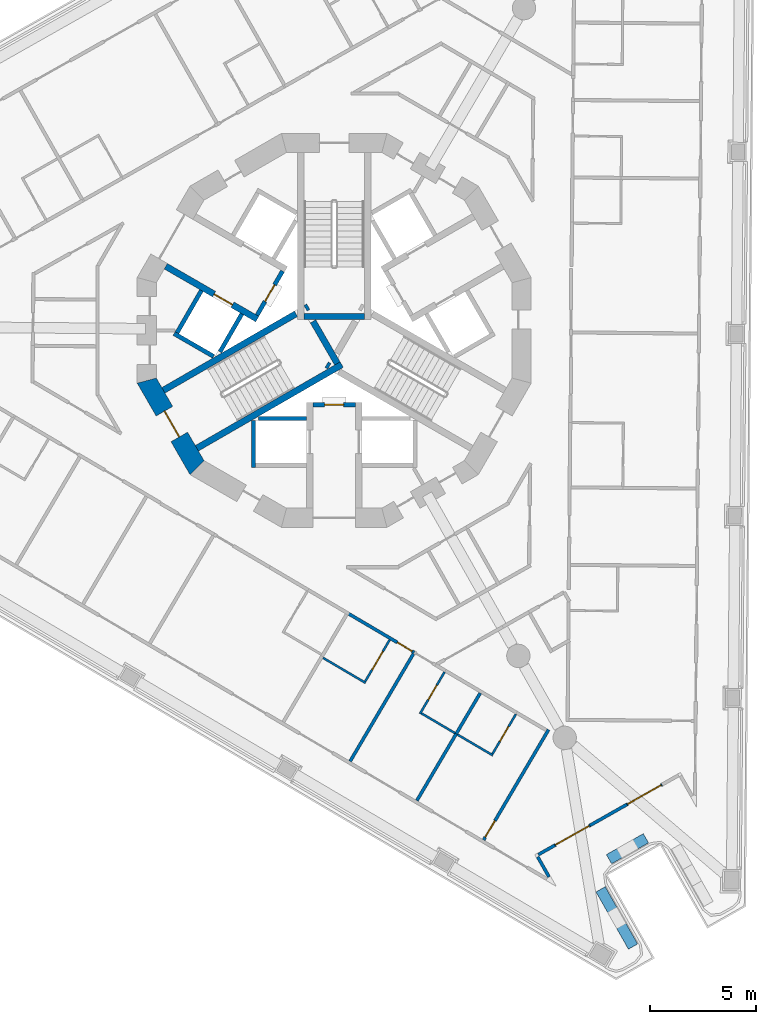
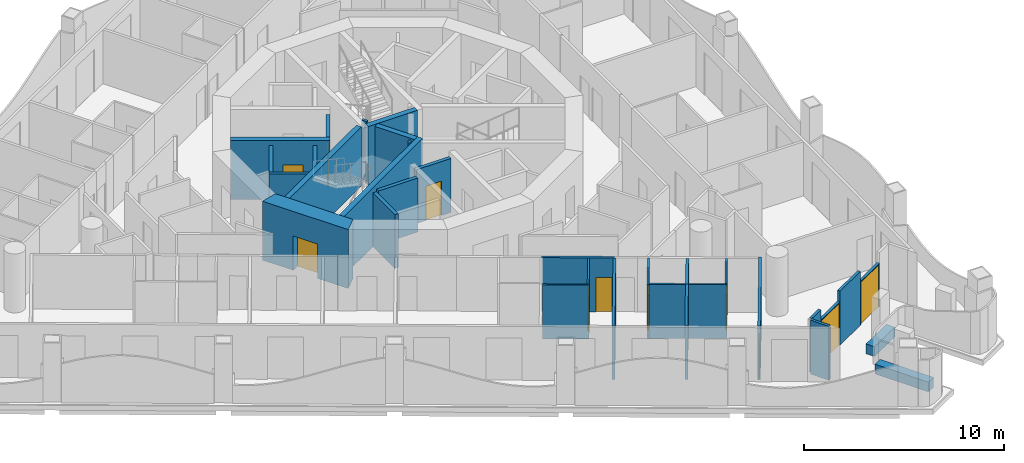
# One storey, part 4 of 18: 33 walls, 11 doors, 11 openings.
"""IFC4 building model written with IfcOpenShell, lengths in metres."""

from ifc_helpers import new_model, si_unit, direction, frame, frame_2d, origin, place, context, subcontext, project, spatial, polyline, rectangle, outline, extrude, material, layer, layer_set, type_object, element, fill, save


model = new_model("IFC4")

# Units and contexts
model_context = context("Model", 3, precision=1e-05, world=origin(), true_north=direction((0.0, 1.0)))
body_context = subcontext(model_context, "Body", "Model", "MODEL_VIEW")
ifc_project = project(units=[si_unit("LENGTHUNIT", "METRE"), si_unit("AREAUNIT", "SQUARE_METRE"), si_unit("VOLUMEUNIT", "CUBIC_METRE"), si_unit("PLANEANGLEUNIT", "RADIAN"), si_unit("MASSUNIT", "GRAM", prefix="KILO")], contexts=[model_context])

# Site, building, storey
site_placement = place(None, origin())
site = spatial("IfcSite", under=ifc_project, at=site_placement, CompositionType="ELEMENT")
building_placement = place(site_placement, origin())
building = spatial("IfcBuilding", under=site, at=building_placement, Name="Trine Commons Tower", CompositionType="ELEMENT")
storey_placement = place(building_placement, frame((0.0, 0.0, 171.89990234375)))
storey = spatial("IfcBuildingStorey", under=building, at=storey_placement, Name="L44", CompositionType="ELEMENT", Elevation=171.89990234375)

# Wall, opening, door
ifc_material_1 = material(Name="Aluminium-framed insulated wall panel", Category="aluminium")
ifc_layer_1 = layer(ifc_material_1, 0.14990234375)
ifc_layer_set_1 = layer_set([ifc_layer_1], Name="Aluminium-framed insulated wall panel")
wall_type_1 = type_object("IfcWallType", Name="Glazed frame wall 150, EI 60", PredefinedType="SOLIDWALL", material=ifc_layer_set_1)
wall_1_placement = place(storey_placement, frame((95.430419921875, 41.115966796875, 0.0), z_axis=(0.0, 0.0, 1.0), x_axis=(-0.870354540841, -0.492425601728, 0.0)))
wall_1 = element("IfcWall", 1, at=wall_1_placement, inside=storey, type_object=wall_type_1, Name="Glazed frame wall P3.2", PredefinedType="SOLIDWALL", context=body_context, shape_type="SweptSolid", body=[
    extrude(outline(polyline([(0.0, -0.074951171875), (1.89990234375, -0.074951171875), (1.89990234375, 0.074951171875), (0.0, 0.074951171875), (0.0, -0.074951171875)])), origin(), (0.0, 0.0, 1.0), 2.650146484375),
])
opening_1_placement = place(wall_1_placement, frame((0.050048828125, 0.0, 0.0)))
opening_1 = element("IfcOpeningElement", 2, at=opening_1_placement, cuts=wall_1, Name="Opening BD-5P3-01", PredefinedType="OPENING", context=body_context, shape_type="SweptSolid", body=[
    extrude(rectangle(XDim=1.800048828125, YDim=2.60009765625, at=frame_2d((0.89990234375, 1.300048828125))), frame((0.0, 0.0849609375, 0.0), z_axis=(0.0, -1.0, 0.0), x_axis=(1.0, 0.0, 0.0)), (0.0, 0.0, 1.0), 0.169921875),
])
ifc_material_2 = material(Name="Anodised aluminium frame with double glazing", Category="aluminium")
door_type_1 = type_object("IfcDoorType", Name="Sliding loggia door 1800x2600", OperationType="SLIDING_TO_LEFT", PredefinedType="DOOR", material=ifc_material_2)
door_1_placement = place(opening_1_placement, origin())
door_1 = element("IfcDoor", 3, at=door_1_placement, inside=storey, type_object=door_type_1, Name="Loggia door P3 1", OperationType="SLIDING_TO_LEFT", OverallHeight=2.60009765625, OverallWidth=1.800048828125, PredefinedType="DOOR", context=body_context, shape_type="SweptSolid", body=[
    extrude(rectangle(XDim=1.800048828125, YDim=2.60009765625, at=frame_2d((0.89990234375, 1.300048828125))), frame((0.0, 0.02490234375, 0.0), z_axis=(0.0, -1.0, 0.0), x_axis=(1.0, 0.0, 0.0)), (0.0, 0.0, 1.0), 0.050048828125),
])
fill(opening_1, door_1)

# Wall
wall_2_placement = place(storey_placement, frame((93.77685546875, 40.180419921875, 0.0), z_axis=(0.0, 0.0, 1.0), x_axis=(-0.870353598469, -0.492427267353, 0.0)))
element("IfcWall", 4, at=wall_2_placement, inside=storey, type_object=wall_type_1, Name="Glazed frame wall P3.3", PredefinedType="SOLIDWALL", context=body_context, shape_type="SweptSolid", body=[
    extrude(outline(polyline([(0.0, -0.074951171875), (2.0, -0.074951171875), (2.0, 0.074951171875), (0.0, 0.074951171875), (0.0, -0.074951171875)])), origin(), (0.0, 0.0, 1.0), 3.300048828125),
])

# Wall, opening, door
wall_3_placement = place(storey_placement, frame((92.0361328125, 39.195556640625, 0.0), z_axis=(0.0, 0.0, 1.0), x_axis=(-0.870385695537, -0.492370532226, 0.0)))
wall_3 = element("IfcWall", 5, at=wall_3_placement, inside=storey, type_object=wall_type_1, Name="Glazed frame wall P3.4", PredefinedType="SOLIDWALL", context=body_context, shape_type="SweptSolid", body=[
    extrude(outline(polyline([(0.0, -0.074951171875), (1.89990234375, -0.074951171875), (1.89990234375, 0.074951171875), (0.0, 0.074951171875), (0.0, -0.074951171875)])), origin(), (0.0, 0.0, 1.0), 2.650146484375),
])
opening_2_placement = place(wall_3_placement, frame((0.050048828125, 0.0, 0.0)))
opening_2 = element("IfcOpeningElement", 6, at=opening_2_placement, cuts=wall_3, Name="Opening BD-5P3-02", PredefinedType="OPENING", context=body_context, shape_type="SweptSolid", body=[
    extrude(rectangle(XDim=1.800048828125, YDim=2.60009765625, at=frame_2d((0.89990234375, 1.300048828125))), frame((0.0, 0.0849609375, 0.0), z_axis=(0.0, -1.0, 0.0), x_axis=(1.0, 0.0, 0.0)), (0.0, 0.0, 1.0), 0.169921875),
])
door_2_placement = place(opening_2_placement, origin())
door_2 = element("IfcDoor", 7, at=door_2_placement, inside=storey, type_object=door_type_1, Name="Loggia door P3 2", OperationType="SLIDING_TO_LEFT", OverallHeight=2.60009765625, OverallWidth=1.800048828125, PredefinedType="DOOR", context=body_context, shape_type="SweptSolid", body=[
    extrude(rectangle(XDim=1.800048828125, YDim=2.60009765625, at=frame_2d((0.89990234375, 1.300048828125))), frame((0.0, 0.02490234375, 0.0), z_axis=(0.0, -1.0, 0.0), x_axis=(1.0, 0.0, 0.0)), (0.0, 0.0, 1.0), 0.050048828125),
])
fill(opening_2, door_2)

# Walls
wall_4_placement = place(storey_placement, frame((90.38232421875, 38.260009765625, 0.0), z_axis=(0.0, 0.0, 1.0), x_axis=(-0.870294379776, -0.492531920316, 0.0)))
element("IfcWall", 8, at=wall_4_placement, inside=storey, type_object=wall_type_1, Name="Glazed frame wall P3.5", PredefinedType="SOLIDWALL", context=body_context, shape_type="SweptSolid", body=[
    extrude(outline(polyline([(0.889892578125, 0.074951171875), (0.0, 0.074951171875), (0.0, -0.074951171875), (0.889892578125, -0.074951171875), (0.889892578125, 0.074951171875)])), origin(), (0.0, 0.0, 1.0), 3.300048828125),
])
wall_5_placement = place(storey_placement, frame((89.525390625, 37.815185546875, 0.0), z_axis=(0.0, 0.0, 1.0), x_axis=(0.492302481267, -0.870424187933, 0.0)))
element("IfcWall", 9, at=wall_5_placement, inside=storey, type_object=wall_type_1, Name="Glazed frame wall R11", PredefinedType="SOLIDWALL", context=body_context, shape_type="SweptSolid", body=[
    extrude(outline(polyline([(0.110107421875, 0.074951171875), (0.110107421875, -0.074951171875), (1.19580078125, -0.074951171875), (1.19580078125, 0.074951171875), (0.110107421875, 0.074951171875)])), origin(), (0.0, 0.0, 1.0), 3.300048828125),
])

# Wall, opening, door
ifc_material_3 = material(Name="Fire-rated gypsum shaft wall system")
ifc_layer_2 = layer(ifc_material_3, 0.199951171875)
ifc_layer_set_2 = layer_set([ifc_layer_2], Name="Fire-rated gypsum shaft wall system")
wall_type_2 = type_object("IfcWallType", Name="Lobby end wall 200 mm, EI 120", PredefinedType="PARTITIONING", material=ifc_layer_set_2)
wall_6_placement = place(storey_placement, frame((77.569091796875, 65.2890625, 0.0), z_axis=(0.0, 0.0, 1.0), x_axis=(-0.50012165622, -0.865955154139, 0.0)))
wall_6 = element("IfcWall", 10, at=wall_6_placement, inside=storey, type_object=wall_type_2, Name="Lobby end wall L44", PredefinedType="PARTITIONING", context=body_context, shape_type="SweptSolid", body=[
    extrude(rectangle(XDim=2.39990234375, YDim=0.199951171875, at=frame_2d((1.199951171875, 0.0))), origin(), (0.0, 0.0, 1.0), 3.300048828125),
])
opening_3_placement = place(wall_6_placement, frame((0.749755859375, 0.0, 0.0)))
opening_3 = element("IfcOpeningElement", 11, at=opening_3_placement, cuts=wall_6, Name="Opening K11.07", PredefinedType="OPENING", context=body_context, shape_type="SweptSolid", body=[
    extrude(rectangle(XDim=0.89990234375, YDim=2.10009765625, at=frame_2d((0.449951171875, 1.050048828125))), frame((0.0, 0.10986328125, 0.0), z_axis=(0.0, -1.0, 0.0), x_axis=(1.0, 0.0, 0.0)), (0.0, 0.0, 1.0), 0.219970703125),
])
ifc_material_4 = material(Name="Steel door leaf, fire-rated", Category="steel")
door_type_2 = type_object("IfcDoorType", Name="Riser access door, single leaf 900 x 2100, FD60", OperationType="SINGLE_SWING_LEFT", PredefinedType="DOOR", material=ifc_material_4)
door_3_placement = place(opening_3_placement, frame((0.89990234375, 0.0, 0.0), z_axis=(0.0, 0.0, 1.0), x_axis=(-1.0, 0.0, 0.0)))
door_3 = element("IfcDoor", 12, at=door_3_placement, inside=storey, type_object=door_type_2, Name="Riser door, Mechanical riser L44", OperationType="SINGLE_SWING_RIGHT", OverallHeight=2.10009765625, OverallWidth=0.89990234375, PredefinedType="DOOR", context=body_context, shape_type="SweptSolid", body=[
    extrude(rectangle(XDim=0.89990234375, YDim=2.10009765625, at=frame_2d((0.449951171875, 1.050048828125))), frame((0.0, 0.02490234375, 0.0), z_axis=(0.0, -1.0, 0.0), x_axis=(1.0, 0.0, 0.0)), (0.0, 0.0, 1.0), 0.050048828125),
])
fill(opening_3, door_3)

wall_7_placement = place(storey_placement, frame((79.0, 59.0, 0.0), z_axis=(0.0, 0.0, 1.0), x_axis=(1.0, 0.0, 0.0)))
wall_7 = element("IfcWall", 13, at=wall_7_placement, inside=storey, type_object=wall_type_2, Name="Lobby end wall L44", PredefinedType="PARTITIONING", context=body_context, shape_type="SweptSolid", body=[
    extrude(rectangle(XDim=2.0, YDim=0.199951171875, at=frame_2d((1.0, 0.0))), origin(), (0.0, 0.0, 1.0), 3.300048828125),
])
opening_4_placement = place(wall_7_placement, frame((0.550048828125, 0.0, 0.0)))
opening_4 = element("IfcOpeningElement", 14, at=opening_4_placement, cuts=wall_7, Name="Opening K11.09", PredefinedType="OPENING", context=body_context, shape_type="SweptSolid", body=[
    extrude(rectangle(XDim=0.89990234375, YDim=2.10009765625, at=frame_2d((0.449951171875, 1.050048828125))), frame((0.0, 0.10986328125, 0.0), z_axis=(0.0, -1.0, 0.0), x_axis=(1.0, 0.0, 0.0)), (0.0, 0.0, 1.0), 0.219970703125),
])
door_4_placement = place(opening_4_placement, frame((0.89990234375, 0.0, 0.0), z_axis=(0.0, 0.0, 1.0), x_axis=(-1.0, 0.0, 0.0)))
door_4 = element("IfcDoor", 15, at=door_4_placement, inside=storey, type_object=door_type_2, Name="Riser door, Communications riser L44", OperationType="SINGLE_SWING_RIGHT", OverallHeight=2.10009765625, OverallWidth=0.89990234375, PredefinedType="DOOR", context=body_context, shape_type="SweptSolid", body=[
    extrude(rectangle(XDim=0.89990234375, YDim=2.10009765625, at=frame_2d((0.449951171875, 1.050048828125))), frame((0.0, 0.02490234375, 0.0), z_axis=(0.0, -1.0, 0.0), x_axis=(1.0, 0.0, 0.0)), (0.0, 0.0, 1.0), 0.050048828125),
])
fill(opening_4, door_4)

# Walls
ifc_material_5 = material(Name="Planter trough, precast concrete C40/50", Category="concrete")
ifc_layer_3 = layer(ifc_material_5, 0.5)
ifc_layer_set_3 = layer_set([ifc_layer_3], Name="Planter trough, precast concrete C40/50")
wall_type_3 = type_object("IfcWallType", Name="Planter trough 500x600", PredefinedType="PARAPET", material=ifc_layer_set_3)
wall_8_placement = place(storey_placement, frame((94.67529296875, 38.592041015625, 0.0), z_axis=(0.0, 0.0, 1.0), x_axis=(-0.870323993841, -0.492479589165, 0.0)))
element("IfcWall", 16, at=wall_8_placement, inside=storey, type_object=wall_type_3, Name="Planter 8", PredefinedType="PARAPET", context=body_context, shape_type="SweptSolid", body=[
    extrude(rectangle(XDim=1.999755859375, YDim=0.5, at=frame_2d((1.0, 0.0))), origin(), (0.0, 0.0, 1.0), 0.60009765625),
])
wall_9_placement = place(storey_placement, frame((92.541748046875, 36.189697265625, 0.0), z_axis=(0.0, 0.0, 1.0), x_axis=(0.492402381783, -0.870367677717, 0.0)))
element("IfcWall", 17, at=wall_9_placement, inside=storey, type_object=wall_type_3, Name="Planter 9", PredefinedType="PARAPET", context=body_context, shape_type="SweptSolid", body=[
    extrude(rectangle(XDim=3.099853515625, YDim=0.5, at=frame_2d((1.5498046875, 0.0))), origin(), (0.0, 0.0, 1.0), 0.60009765625),
])

# Wall, opening, door
ifc_material_6 = material(Name="Concrete C60/75", Category="concrete")
ifc_layer_4 = layer(ifc_material_6, 0.300048828125)
ifc_layer_set_4 = layer_set([ifc_layer_4], Name="Concrete C60/75")
wall_type_4 = type_object("IfcWallType", Name="RC shear wall 300 mm, C60/75", PredefinedType="SHEAR", material=ifc_layer_set_4)
wall_10_placement = place(storey_placement, frame((76.381103515625, 63.031005859375, 0.0), z_axis=(0.0, 0.0, 1.0), x_axis=(-0.866080953719, 0.499903772346, 0.0)))
wall_10 = element("IfcWall", 18, at=wall_10_placement, inside=storey, type_object=wall_type_4, Name="Core cross wall SWB-01 L44", PredefinedType="SHEAR", context=body_context, shape_type="SweptSolid", body=[
    extrude(rectangle(XDim=4.97314453125, YDim=0.300048828125, at=frame_2d((2.486572265625, 0.0))), origin(), (0.0, 0.0, 1.0), 3.60009765625),
])
opening_5_placement = place(wall_10_placement, frame((1.350341796875, 0.0, 0.0)))
opening_5 = element("IfcOpeningElement", 19, at=opening_5_placement, cuts=wall_10, Name="Opening LD7", PredefinedType="OPENING", context=body_context, shape_type="SweptSolid", body=[
    extrude(rectangle(XDim=1.0, YDim=2.10009765625, at=frame_2d((0.5, 1.050048828125))), frame((0.0, 0.159912109375, 0.0), z_axis=(0.0, -1.0, 0.0), x_axis=(1.0, 0.0, 0.0)), (0.0, 0.0, 1.0), 0.320068359375),
])
ifc_material_7 = material(Name="Stainless steel sliding door leaves", Category="steel")
door_type_3 = type_object("IfcDoorType", Name="Lift landing door, centre-opening sliding 1000 x 2100, FD90", OperationType="DOUBLE_DOOR_SLIDING", PredefinedType="DOOR", material=ifc_material_7)
door_5_placement = place(opening_5_placement, origin())
door_5 = element("IfcDoor", 20, at=door_5_placement, inside=storey, type_object=door_type_3, Name="Lift landing door HR3 L44", OperationType="DOUBLE_DOOR_SLIDING", OverallHeight=2.10009765625, OverallWidth=1.0, PredefinedType="DOOR", context=body_context, shape_type="SweptSolid", body=[
    extrude(rectangle(XDim=1.0, YDim=2.10009765625, at=frame_2d((0.5, 1.050048828125))), frame((0.0, 0.02490234375, 0.0), z_axis=(0.0, -1.0, 0.0), x_axis=(1.0, 0.0, 0.0)), (0.0, 0.0, 1.0), 0.050048828125),
])
fill(opening_5, door_5)

# Walls
wall_11_placement = place(storey_placement, frame((78.199951171875, 63.280029296875, 0.0), z_axis=(0.0, 0.0, 1.0), x_axis=(-0.866028135082, -0.499995269223, 0.0)))
element("IfcWall", 21, at=wall_11_placement, inside=storey, type_object=wall_type_4, Name="Core cross wall SWB-07 L44", PredefinedType="SHEAR", context=body_context, shape_type="SweptSolid", body=[
    extrude(rectangle(XDim=7.2041015625, YDim=0.300048828125, at=frame_2d((3.60205078125, 0.0))), origin(), (0.0, 0.0, 1.0), 3.60009765625),
])
wall_12_placement = place(storey_placement, frame((78.779052734375, 63.614013671875, 0.0), z_axis=(0.0, 0.0, 1.0), x_axis=(-0.867737973955, -0.497021939713, 0.0)))
element("IfcWall", 22, at=wall_12_placement, inside=storey, type_object=wall_type_4, Name="Core cross wall SWB-09 L44", PredefinedType="SHEAR", context=body_context, shape_type="SweptSolid", body=[
    extrude(rectangle(XDim=0.14892578125, YDim=0.300048828125, at=frame_2d((0.074462890625, 0.0))), origin(), (0.0, 0.0, 1.0), 3.60009765625),
])
wall_13_placement = place(storey_placement, frame((79.0029296875, 62.926025390625, 0.0), z_axis=(0.0, 0.0, 1.0), x_axis=(0.499965247104, -0.866045467449, 0.0)))
element("IfcWall", 23, at=wall_13_placement, inside=storey, type_object=wall_type_4, Name="Core cross wall SWB-10 L44", PredefinedType="SHEAR", context=body_context, shape_type="SweptSolid", body=[
    extrude(rectangle(XDim=2.292236328125, YDim=0.300048828125, at=frame_2d((1.14599609375, 0.0))), origin(), (0.0, 0.0, 1.0), 3.60009765625),
])
wall_14_placement = place(storey_placement, frame((79.64599609375, 60.885986328125, 0.0), z_axis=(0.0, 0.0, 1.0), x_axis=(0.867331893649, -0.497730234424, 0.0)))
element("IfcWall", 24, at=wall_14_placement, inside=storey, type_object=wall_type_4, Name="Core cross wall SWB-11 L44", PredefinedType="SHEAR", context=body_context, shape_type="SweptSolid", body=[
    extrude(rectangle(XDim=0.148681640625, YDim=0.300048828125, at=frame_2d((0.07421875, 0.0))), origin(), (0.0, 0.0, 1.0), 3.60009765625),
])
wall_15_placement = place(storey_placement, frame((80.35400390625, 60.885986328125, 0.0), z_axis=(0.0, 0.0, 1.0), x_axis=(-0.866047706748, -0.499961368145, 0.0)))
element("IfcWall", 25, at=wall_15_placement, inside=storey, type_object=wall_type_4, Name="Core cross wall SWB-14 L44", PredefinedType="SHEAR", context=body_context, shape_type="SweptSolid", body=[
    extrude(rectangle(XDim=7.87255859375, YDim=0.300048828125, at=frame_2d((3.936279296875, 0.0))), origin(), (0.0, 0.0, 1.0), 3.60009765625),
])
wall_16_placement = place(storey_placement, frame((81.425048828125, 63.15087890625, 0.0), z_axis=(0.0, 0.0, 1.0), x_axis=(-1.0, 0.0, 0.0)))
element("IfcWall", 26, at=wall_16_placement, inside=storey, type_object=wall_type_4, Name="Core cross wall SWB-16 L44", PredefinedType="SHEAR", context=body_context, shape_type="SweptSolid", body=[
    extrude(rectangle(XDim=2.85009765625, YDim=0.300048828125, at=frame_2d((1.425048828125, 0.0))), origin(), (0.0, 0.0, 1.0), 3.60009765625),
])

# Wall, opening, door
ifc_layer_5 = layer(ifc_material_6, 0.89990234375)
ifc_layer_set_5 = layer_set([ifc_layer_5], Name="Concrete C60/75")
wall_type_5 = type_object("IfcWallType", Name="RC shear wall 900 mm, C60/75", PredefinedType="SHEAR", material=ifc_layer_set_5)
wall_17_placement = place(storey_placement, frame((71.11669921875, 60.240234375, 0.0), z_axis=(0.0, 0.0, 1.0), x_axis=(0.500038571144, -0.866003133579, 0.0)))
wall_17 = element("IfcWall", 27, at=wall_17_placement, inside=storey, type_object=wall_type_5, Name="Core wall CWE-08 L44", PredefinedType="SHEAR", context=body_context, shape_type="SweptSolid", body=[
    extrude(outline(polyline([(0.0, -0.449951171875), (4.96923828125, -0.449951171875), (4.72802734375, 0.449951171875), (0.2412109375, 0.449951171875), (0.0, -0.449951171875)])), origin(), (0.0, 0.0, 1.0), 3.60009765625),
])
opening_6_placement = place(wall_17_placement, frame((1.78466796875, 0.0, 0.0)))
opening_6 = element("IfcOpeningElement", 28, at=opening_6_placement, cuts=wall_17, Name="Opening K11.02", PredefinedType="OPENING", context=body_context, shape_type="SweptSolid", body=[
    extrude(rectangle(XDim=1.39990234375, YDim=2.10009765625, at=frame_2d((0.699951171875, 1.050048828125))), frame((0.0, 0.4599609375, 0.0), z_axis=(0.0, -1.0, 0.0), x_axis=(1.0, 0.0, 0.0)), (0.0, 0.0, 1.0), 0.919921875),
])
ifc_material_8 = material(Name="Steel door leaves, fire-rated", Category="steel")
door_type_4 = type_object("IfcDoorType", Name="Stair door, double leaf 1400 x 2100, FD90", OperationType="DOUBLE_DOOR_SINGLE_SWING", PredefinedType="DOOR", material=ifc_material_8)
door_6_placement = place(opening_6_placement, origin())
door_6 = element("IfcDoor", 29, at=door_6_placement, inside=storey, type_object=door_type_4, Name="Stair door to Exit stair ST2B L44", OperationType="DOUBLE_DOOR_SINGLE_SWING", OverallHeight=2.10009765625, OverallWidth=1.39990234375, PredefinedType="DOOR", context=body_context, shape_type="SweptSolid", body=[
    extrude(rectangle(XDim=1.39990234375, YDim=2.10009765625, at=frame_2d((0.699951171875, 1.050048828125))), frame((0.0, 0.02490234375, 0.0), z_axis=(0.0, -1.0, 0.0), x_axis=(1.0, 0.0, 0.0)), (0.0, 0.0, 1.0), 0.050048828125),
])
fill(opening_6, door_6)

# Walls
ifc_layer_6 = layer(ifc_material_3, 0.199951171875)
ifc_layer_set_6 = layer_set([ifc_layer_6], Name="Fire-rated gypsum shaft wall system")
wall_type_6 = type_object("IfcWallType", Name="Shaft wall 200 mm, EI 120", PredefinedType="PARTITIONING", material=ifc_layer_set_6)
wall_18_placement = place(storey_placement, frame((73.7509765625, 64.3759765625, 0.0), z_axis=(0.0, 0.0, 1.0), x_axis=(-0.500136062276, -0.86594683394, 0.0)))
element("IfcWall", 30, at=wall_18_placement, inside=storey, type_object=wall_type_6, Name="Shaft wall L44", PredefinedType="PARTITIONING", context=body_context, shape_type="SweptSolid", body=[
    extrude(rectangle(XDim=2.299072265625, YDim=0.199951171875, at=frame_2d((1.1494140625, 0.0))), origin(), (0.0, 0.0, 1.0), 3.300048828125),
])
wall_19_placement = place(storey_placement, frame((74.324951171875, 61.27392578125, 0.0), z_axis=(0.0, 0.0, 1.0), x_axis=(-0.866102336459, 0.499866725018, 0.0)))
element("IfcWall", 31, at=wall_19_placement, inside=storey, type_object=wall_type_6, Name="Shaft wall L44", PredefinedType="PARTITIONING", context=body_context, shape_type="SweptSolid", body=[
    extrude(rectangle(XDim=2.1484375, YDim=0.199951171875, at=frame_2d((1.07421875, 0.0))), origin(), (0.0, 0.0, 1.0), 3.300048828125),
])
wall_20_placement = place(storey_placement, frame((75.656005859375, 63.27587890625, 0.0), z_axis=(0.0, 0.0, 1.0), x_axis=(-0.500271688072, -0.86586848777, 0.0)))
element("IfcWall", 32, at=wall_20_placement, inside=storey, type_object=wall_type_6, Name="Shaft wall L44", PredefinedType="PARTITIONING", context=body_context, shape_type="SweptSolid", body=[
    extrude(rectangle(XDim=2.064697265625, YDim=0.199951171875, at=frame_2d((1.0322265625, 0.0))), origin(), (0.0, 0.0, 1.0), 3.300048828125),
])
wall_21_placement = place(storey_placement, frame((76.199951171875, 58.257080078125, 0.0), z_axis=(0.0, 0.0, 1.0), x_axis=(0.0, -1.0, 0.0)))
element("IfcWall", 33, at=wall_21_placement, inside=storey, type_object=wall_type_6, Name="Shaft wall L44", PredefinedType="PARTITIONING", context=body_context, shape_type="SweptSolid", body=[
    extrude(rectangle(XDim=2.20703125, YDim=0.199951171875, at=frame_2d((1.103515625, 0.0))), origin(), (0.0, 0.0, 1.0), 3.300048828125),
])
wall_22_placement = place(storey_placement, frame((78.699951171875, 58.35009765625, 0.0), z_axis=(0.0, 0.0, 1.0), x_axis=(-1.0, 0.0, 0.0)))
element("IfcWall", 34, at=wall_22_placement, inside=storey, type_object=wall_type_6, Name="Shaft wall L44", PredefinedType="PARTITIONING", context=body_context, shape_type="SweptSolid", body=[
    extrude(rectangle(XDim=2.264892578125, YDim=0.199951171875, at=frame_2d((1.13232421875, 0.0))), origin(), (0.0, 0.0, 1.0), 3.300048828125),
])

# Wall, opening, door
ifc_material_9 = material(Name="Gypsum plasterboard on steel stud", Category="steel")
ifc_layer_7 = layer(ifc_material_9, 0.14990234375)
ifc_layer_set_7 = layer_set([ifc_layer_7], Name="Gypsum plasterboard on steel stud")
wall_type_7 = type_object("IfcWallType", Name="Unit and corridor wall 150 mm, EI 60", PredefinedType="PARTITIONING", material=ifc_layer_set_7)
wall_23_placement = place(storey_placement, frame((80.6240234375, 49.194091796875, 0.0), z_axis=(0.0, 0.0, 1.0), x_axis=(0.861545767891, -0.507679908829, 0.0)))
wall_23 = element("IfcWall", 35, at=wall_23_placement, inside=storey, type_object=wall_type_7, Name="Partition 068", PredefinedType="PARTITIONING", context=body_context, shape_type="SweptSolid", body=[
    extrude(rectangle(XDim=3.65380859375, YDim=0.14990234375, at=frame_2d((1.826904296875, 0.0))), origin(), (0.0, 0.0, 1.0), 3.300048828125),
])
opening_7_placement = place(wall_23_placement, frame((2.731201171875, 0.0, 0.0)))
opening_7 = element("IfcOpeningElement", 36, at=opening_7_placement, cuts=wall_23, Name="Opening D-5B24", PredefinedType="OPENING", context=body_context, shape_type="SweptSolid", body=[
    extrude(rectangle(XDim=0.800048828125, YDim=2.10009765625, at=frame_2d((0.39990234375, 1.050048828125))), frame((0.0, 0.0849609375, 0.0), z_axis=(0.0, -1.0, 0.0), x_axis=(1.0, 0.0, 0.0)), (0.0, 0.0, 1.0), 0.169921875),
])
ifc_material_10 = material(Name="Timber fire door set", Category="wood")
door_type_5 = type_object("IfcDoorType", Name="Bedroom door 800 x 2100, FD30S", OperationType="NOTDEFINED", PredefinedType="DOOR", material=ifc_material_10)
door_7_placement = place(opening_7_placement, frame((0.800048828125, 0.0, 0.0), z_axis=(0.0, 0.0, 1.0), x_axis=(-1.0, 0.0, 0.0)))
door_7 = element("IfcDoor", 37, at=door_7_placement, inside=storey, type_object=door_type_5, Name="Door D-5B24", OperationType="SINGLE_SWING_LEFT", OverallHeight=2.10009765625, OverallWidth=0.800048828125, PredefinedType="DOOR", context=body_context, shape_type="SweptSolid", body=[
    extrude(rectangle(XDim=0.800048828125, YDim=2.10009765625, at=frame_2d((0.39990234375, 1.050048828125))), frame((0.0, 0.02490234375, 0.0), z_axis=(0.0, -1.0, 0.0), x_axis=(1.0, 0.0, 0.0)), (0.0, 0.0, 1.0), 0.050048828125),
])
fill(opening_7, door_7)

# Walls
wall_24_placement = place(storey_placement, frame((80.750244140625, 42.215576171875, 0.0), z_axis=(0.0, 0.0, 1.0), x_axis=(0.507497807972, 0.86165304787, 0.0)))
element("IfcWall", 38, at=wall_24_placement, inside=storey, type_object=wall_type_7, Name="Partition 071", PredefinedType="PARTITIONING", context=body_context, shape_type="SweptSolid", body=[
    extrude(rectangle(XDim=5.873291015625, YDim=0.14990234375, at=frame_2d((2.9365234375, 0.0))), origin(), (0.0, 0.0, 1.0), 3.300048828125),
])
wall_25_placement = place(storey_placement, frame((83.892333984375, 40.364501953125, 0.0), z_axis=(0.0, 0.0, 1.0), x_axis=(0.50751135469, 0.861645068959, 0.0)))
element("IfcWall", 39, at=wall_25_placement, inside=storey, type_object=wall_type_7, Name="Partition 082", PredefinedType="PARTITIONING", context=body_context, shape_type="SweptSolid", body=[
    extrude(rectangle(XDim=3.6484375, YDim=0.14990234375, at=frame_2d((1.82421875, 0.0))), origin(), (0.0, 0.0, 1.0), 3.300048828125),
])
wall_26_placement = place(storey_placement, frame((85.743896484375, 43.508056640625, 0.0), z_axis=(0.0, 0.0, 1.0), x_axis=(0.507719935198, 0.861522180447, 0.0)))
element("IfcWall", 40, at=wall_26_placement, inside=storey, type_object=wall_type_7, Name="Partition 097", PredefinedType="PARTITIONING", context=body_context, shape_type="SweptSolid", body=[
    extrude(rectangle(XDim=2.225341796875, YDim=0.14990234375, at=frame_2d((1.11279296875, 0.0))), origin(), (0.0, 0.0, 1.0), 3.300048828125),
])

# Wall, opening, door
wall_27_placement = place(storey_placement, frame((87.035400390625, 38.512451171875, 0.0), z_axis=(0.0, 0.0, 1.0), x_axis=(0.507392006532, 0.861715354225, 0.0)))
wall_27 = element("IfcWall", 41, at=wall_27_placement, inside=storey, type_object=wall_type_7, Name="Partition 103", PredefinedType="PARTITIONING", context=body_context, shape_type="SweptSolid", body=[
    extrude(rectangle(XDim=6.024169921875, YDim=0.14990234375, at=frame_2d((3.01220703125, 0.0))), origin(), (0.0, 0.0, 1.0), 3.300048828125),
])
opening_8_placement = place(wall_27_placement, frame((0.14990234375, 0.0, 0.0)))
opening_8 = element("IfcOpeningElement", 42, at=opening_8_placement, cuts=wall_27, Name="Opening D-5B22", PredefinedType="OPENING", context=body_context, shape_type="SweptSolid", body=[
    extrude(rectangle(XDim=0.89990234375, YDim=2.10009765625, at=frame_2d((0.449951171875, 1.050048828125))), frame((0.0, 0.0849609375, 0.0), z_axis=(0.0, -1.0, 0.0), x_axis=(1.0, 0.0, 0.0)), (0.0, 0.0, 1.0), 0.169921875),
])
door_type_6 = type_object("IfcDoorType", Name="Bedroom door 900 x 2100, FD30S", OperationType="NOTDEFINED", PredefinedType="DOOR", material=ifc_material_10)
door_8_placement = place(opening_8_placement, origin())
door_8 = element("IfcDoor", 43, at=door_8_placement, inside=storey, type_object=door_type_6, Name="Door D-5B22", OperationType="SINGLE_SWING_LEFT", OverallHeight=2.10009765625, OverallWidth=0.89990234375, PredefinedType="DOOR", context=body_context, shape_type="SweptSolid", body=[
    extrude(rectangle(XDim=0.89990234375, YDim=2.10009765625, at=frame_2d((0.449951171875, 1.050048828125))), frame((0.0, 0.02490234375, 0.0), z_axis=(0.0, -1.0, 0.0), x_axis=(1.0, 0.0, 0.0)), (0.0, 0.0, 1.0), 0.050048828125),
])
fill(opening_8, door_8)

# Wall
ifc_layer_8 = layer(ifc_material_9, 0.10009765625)
ifc_layer_set_8 = layer_set([ifc_layer_8], Name="Gypsum plasterboard on steel stud")
wall_type_8 = type_object("IfcWallType", Name="Unit partition 100 mm, no rating", PredefinedType="PARTITIONING", material=ifc_layer_set_8)
wall_28_placement = place(storey_placement, frame((79.4736328125, 47.0859375, 0.0), z_axis=(0.0, 0.0, 1.0), x_axis=(0.861645111773, -0.507511282001, 0.0)))
element("IfcWall", 44, at=wall_28_placement, inside=storey, type_object=wall_type_8, Name="Partition 065", PredefinedType="PARTITIONING", context=body_context, shape_type="SweptSolid", body=[
    extrude(rectangle(XDim=2.323974609375, YDim=0.10009765625, at=frame_2d((1.162109375, 0.0))), origin(), (0.0, 0.0, 1.0), 3.300048828125),
])

# Wall, opening, door
wall_29_placement = place(storey_placement, frame((81.45849609375, 45.97509765625, 0.0), z_axis=(0.0, 0.0, 1.0), x_axis=(0.508009523195, 0.861351452279, 0.0)))
wall_29 = element("IfcWall", 45, at=wall_29_placement, inside=storey, type_object=wall_type_8, Name="Partition 076", PredefinedType="PARTITIONING", context=body_context, shape_type="SweptSolid", body=[
    extrude(rectangle(XDim=2.274658203125, YDim=0.10009765625, at=frame_2d((1.13720703125, 0.0))), origin(), (0.0, 0.0, 1.0), 3.300048828125),
])
opening_9_placement = place(wall_29_placement, frame((0.63720703125, 0.0, 0.0)))
opening_9 = element("IfcOpeningElement", 46, at=opening_9_placement, cuts=wall_29, Name="Opening D-5B55", PredefinedType="OPENING", context=body_context, shape_type="SweptSolid", body=[
    extrude(rectangle(XDim=1.0, YDim=2.10009765625, at=frame_2d((0.5, 1.050048828125))), frame((0.0, 0.06005859375, 0.0), z_axis=(0.0, -1.0, 0.0), x_axis=(1.0, 0.0, 0.0)), (0.0, 0.0, 1.0), 0.1201171875),
])
ifc_material_11 = material(Name="Painted timber", Category="wood")
door_type_7 = type_object("IfcDoorType", Name="Internal door 1000 x 2100, NOT RATED", OperationType="NOTDEFINED", PredefinedType="DOOR", material=ifc_material_11)
door_9_placement = place(opening_9_placement, frame((1.0, 0.0, 0.0), z_axis=(0.0, 0.0, 1.0), x_axis=(-1.0, 0.0, 0.0)))
door_9 = element("IfcDoor", 47, at=door_9_placement, inside=storey, type_object=door_type_7, Name="Door D-5B55", OperationType="SINGLE_SWING_RIGHT", OverallHeight=2.10009765625, OverallWidth=1.0, PredefinedType="DOOR", context=body_context, shape_type="SweptSolid", body=[
    extrude(rectangle(XDim=1.0, YDim=2.10009765625, at=frame_2d((0.5, 1.050048828125))), frame((0.0, 0.02490234375, 0.0), z_axis=(0.0, -1.0, 0.0), x_axis=(1.0, 0.0, 0.0)), (0.0, 0.0, 1.0), 0.050048828125),
])
fill(opening_9, door_9)

wall_30_placement = place(storey_placement, frame((84.03857421875, 44.454833984375, 0.0), z_axis=(0.0, 0.0, 1.0), x_axis=(0.50769515182, 0.861536785528, 0.0)))
wall_30 = element("IfcWall", 48, at=wall_30_placement, inside=storey, type_object=wall_type_8, Name="Partition 083", PredefinedType="PARTITIONING", context=body_context, shape_type="SweptSolid", body=[
    extrude(rectangle(XDim=2.275634765625, YDim=0.10009765625, at=frame_2d((1.1376953125, 0.0))), origin(), (0.0, 0.0, 1.0), 3.300048828125),
])
opening_10_placement = place(wall_30_placement, frame((0.7626953125, 0.0, 0.0)))
opening_10 = element("IfcOpeningElement", 49, at=opening_10_placement, cuts=wall_30, Name="Opening D-5B54", PredefinedType="OPENING", context=body_context, shape_type="SweptSolid", body=[
    extrude(rectangle(XDim=0.800048828125, YDim=2.10009765625, at=frame_2d((0.39990234375, 1.050048828125))), frame((0.0, 0.06005859375, 0.0), z_axis=(0.0, -1.0, 0.0), x_axis=(1.0, 0.0, 0.0)), (0.0, 0.0, 1.0), 0.1201171875),
])
door_type_8 = type_object("IfcDoorType", Name="Internal door 800 x 2100, NOT RATED", OperationType="NOTDEFINED", PredefinedType="DOOR", material=ifc_material_11)
door_10_placement = place(opening_10_placement, origin())
door_10 = element("IfcDoor", 50, at=door_10_placement, inside=storey, type_object=door_type_8, Name="Door D-5B54", OperationType="SINGLE_SWING_RIGHT", OverallHeight=2.10009765625, OverallWidth=0.800048828125, PredefinedType="DOOR", context=body_context, shape_type="SweptSolid", body=[
    extrude(rectangle(XDim=0.800048828125, YDim=2.10009765625, at=frame_2d((0.39990234375, 1.050048828125))), frame((0.0, 0.02490234375, 0.0), z_axis=(0.0, -1.0, 0.0), x_axis=(1.0, 0.0, 0.0)), (0.0, 0.0, 1.0), 0.050048828125),
])
fill(opening_10, door_10)

# Walls
wall_31_placement = place(storey_placement, frame((84.107177734375, 44.47265625, 0.0), z_axis=(0.0, 0.0, 1.0), x_axis=(0.861538461538, -0.507692307692, 0.0)))
element("IfcWall", 51, at=wall_31_placement, inside=storey, type_object=wall_type_8, Name="Partition 084", PredefinedType="PARTITIONING", context=body_context, shape_type="SweptSolid", body=[
    extrude(rectangle(XDim=1.824951171875, YDim=0.10009765625, at=frame_2d((0.91259765625, 0.0))), origin(), (0.0, 0.0, 1.0), 3.300048828125),
])
wall_32_placement = place(storey_placement, frame((85.80859375, 43.469970703125, 0.0), z_axis=(0.0, 0.0, 1.0), x_axis=(0.861891835241, -0.507092165533, 0.0)))
element("IfcWall", 52, at=wall_32_placement, inside=storey, type_object=wall_type_8, Name="Partition 098", PredefinedType="PARTITIONING", context=body_context, shape_type="SweptSolid", body=[
    extrude(rectangle(XDim=1.92529296875, YDim=0.10009765625, at=frame_2d((0.962646484375, 0.0))), origin(), (0.0, 0.0, 1.0), 3.300048828125),
])

# Wall, opening, door
wall_33_placement = place(storey_placement, frame((87.450439453125, 42.56201171875, 0.0), z_axis=(0.0, 0.0, 1.0), x_axis=(0.507559836999, 0.861616510906, 0.0)))
wall_33 = element("IfcWall", 53, at=wall_33_placement, inside=storey, type_object=wall_type_8, Name="Partition 104", PredefinedType="PARTITIONING", context=body_context, shape_type="SweptSolid", body=[
    extrude(rectangle(XDim=2.174072265625, YDim=0.10009765625, at=frame_2d((1.0869140625, 0.0))), origin(), (0.0, 0.0, 1.0), 3.300048828125),
])
opening_11_placement = place(wall_33_placement, frame((0.68701171875, 0.0, 0.0)))
opening_11 = element("IfcOpeningElement", 54, at=opening_11_placement, cuts=wall_33, Name="Opening D-5B53", PredefinedType="OPENING", context=body_context, shape_type="SweptSolid", body=[
    extrude(rectangle(XDim=0.800048828125, YDim=2.10009765625, at=frame_2d((0.39990234375, 1.050048828125))), frame((0.0, 0.06005859375, 0.0), z_axis=(0.0, -1.0, 0.0), x_axis=(1.0, 0.0, 0.0)), (0.0, 0.0, 1.0), 0.1201171875),
])
door_11_placement = place(opening_11_placement, frame((0.800048828125, 0.0, 0.0), z_axis=(0.0, 0.0, 1.0), x_axis=(-1.0, 0.0, 0.0)))
door_11 = element("IfcDoor", 55, at=door_11_placement, inside=storey, type_object=door_type_8, Name="Door D-5B53", OperationType="SINGLE_SWING_RIGHT", OverallHeight=2.10009765625, OverallWidth=0.800048828125, PredefinedType="DOOR", context=body_context, shape_type="SweptSolid", body=[
    extrude(rectangle(XDim=0.800048828125, YDim=2.10009765625, at=frame_2d((0.39990234375, 1.050048828125))), frame((0.0, 0.02490234375, 0.0), z_axis=(0.0, -1.0, 0.0), x_axis=(1.0, 0.0, 0.0)), (0.0, 0.0, 1.0), 0.050048828125),
])
fill(opening_11, door_11)

save(model, "model.ifc")
